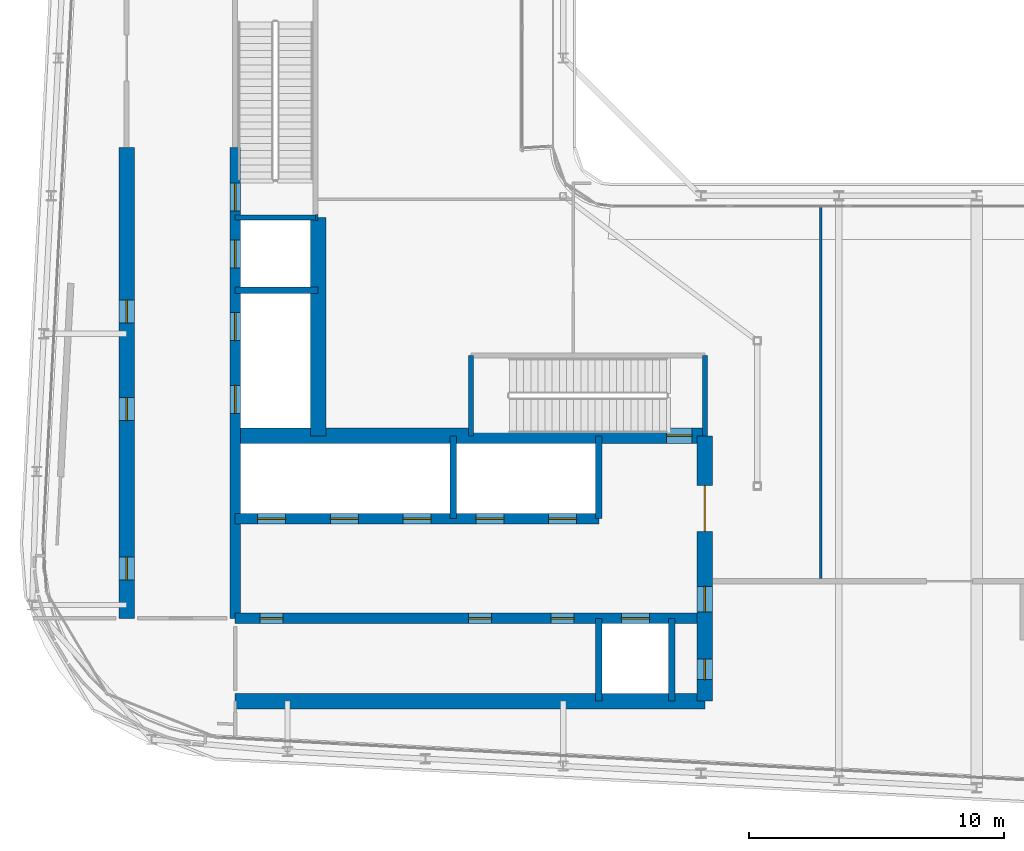
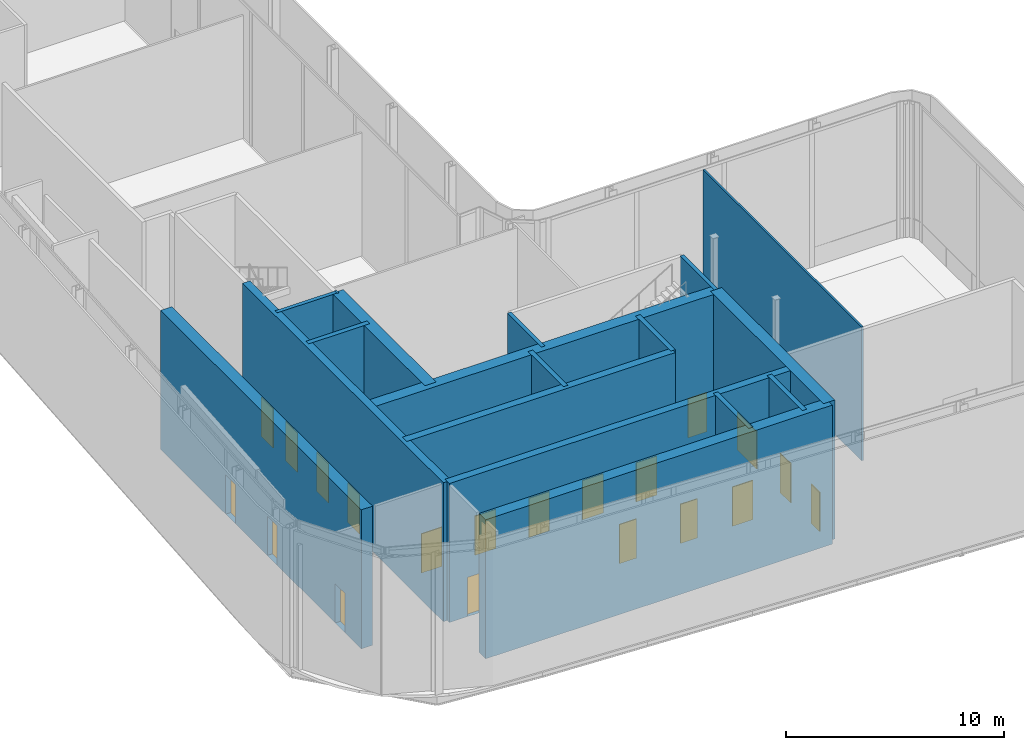
# One storey, part 21 of 28: 20 doors, 18 walls, 20 openings.
"""IFC4 building model written with IfcOpenShell, lengths in metres."""

from ifc_helpers import new_model, si_unit, direction, frame, frame_2d, origin, place, context, subcontext, project, spatial, rectangle, extrude, source, transform, mapped, material, layer, layer_set, type_object, element, fill, save


model = new_model("IFC4")

# Units and contexts
model_context = context("Model", 3, precision=1e-05, world=origin(), true_north=direction((0.0, 1.0)))
body_context = subcontext(model_context, "Body", "Model", "MODEL_VIEW")
ifc_project = project(units=[si_unit("LENGTHUNIT", "METRE"), si_unit("AREAUNIT", "SQUARE_METRE"), si_unit("VOLUMEUNIT", "CUBIC_METRE"), si_unit("PLANEANGLEUNIT", "RADIAN"), si_unit("MASSUNIT", "GRAM", prefix="KILO")], contexts=[model_context])

# Site, building, storey
site_placement = place(None, origin())
site = spatial("IfcSite", under=ifc_project, at=site_placement, CompositionType="ELEMENT")
building_placement = place(site_placement, origin())
building = spatial("IfcBuilding", under=site, at=building_placement, Name="Kheshtan School and Residences Tower", CompositionType="ELEMENT")
storey_placement = place(building_placement, frame((0.0, 0.0, 325.39990234375)))
storey = spatial("IfcBuildingStorey", under=building, at=storey_placement, Name="L77", CompositionType="ELEMENT", Elevation=325.39990234375)

# Wall, openings, doors
ifc_material_1 = material(Name="Concrete C50/60", Category="concrete")
ifc_layer_1 = layer(ifc_material_1, 0.39990234375)
ifc_layer_set_1 = layer_set([ifc_layer_1], Name="Core wall 400 Concrete C50/60")
wall_type_1 = type_object("IfcWallType", Name="Core wall 400 Concrete C50/60", PredefinedType="SHEAR", material=ifc_layer_set_1)
wall_1_placement = place(storey_placement, frame((34.75, 29.050048828125, 0.0), z_axis=(0.0, 0.0, 1.0), x_axis=(1.0, 0.0, 0.0)))
wall_1 = element("IfcWall", 1, at=wall_1_placement, inside=storey, type_object=wall_type_1, Name="Core wall CW-HALL-S1", PredefinedType="SHEAR", context=body_context, shape_type="SweptSolid", body=[
    extrude(rectangle(XDim=18.39990234375, YDim=0.39990234375, at=frame_2d((9.199951171875, 0.0))), origin(), (0.0, 0.0, 1.0), 7.800048828125),
])
opening_1_placement = place(wall_1_placement, frame((15.125, 0.0, 0.0)))
opening_1 = element("IfcOpeningElement", 2, at=opening_1_placement, cuts=wall_1, Name="Opening LD", PredefinedType="OPENING", context=body_context, shape_type="SweptSolid", body=[
    extrude(rectangle(XDim=1.10009765625, YDim=2.199951171875, at=frame_2d((0.550048828125, 1.10009765625))), frame((0.0, 0.2099609375, 0.0), z_axis=(0.0, -1.0, 0.0), x_axis=(1.0, 0.0, 0.0)), (0.0, 0.0, 1.0), 0.419921875),
])
opening_2_placement = place(wall_1_placement, frame((0.97509765625, 0.0, 0.0)))
opening_2 = element("IfcOpeningElement", 3, at=opening_2_placement, cuts=wall_1, Name="Opening SR90", PredefinedType="OPENING", context=body_context, shape_type="SweptSolid", body=[
    extrude(rectangle(XDim=0.89990234375, YDim=2.199951171875, at=frame_2d((0.449951171875, 1.10009765625))), frame((0.0, 0.2099609375, 0.0), z_axis=(0.0, -1.0, 0.0), x_axis=(1.0, 0.0, 0.0)), (0.0, 0.0, 1.0), 0.419921875),
])
opening_3_placement = place(wall_1_placement, frame((9.14404296875, 0.0, 0.0)))
opening_3 = element("IfcOpeningElement", 4, at=opening_3_placement, cuts=wall_1, Name="Opening SR90", PredefinedType="OPENING", context=body_context, shape_type="SweptSolid", body=[
    extrude(rectangle(XDim=0.89990234375, YDim=2.199951171875, at=frame_2d((0.449951171875, 1.10009765625))), frame((0.0, 0.2099609375, 0.0), z_axis=(0.0, -1.0, 0.0), x_axis=(1.0, 0.0, 0.0)), (0.0, 0.0, 1.0), 0.419921875),
])
opening_4_placement = place(wall_1_placement, frame((12.375, 0.0, 0.0)))
opening_4 = element("IfcOpeningElement", 5, at=opening_4_placement, cuts=wall_1, Name="Opening SR90", PredefinedType="OPENING", context=body_context, shape_type="SweptSolid", body=[
    extrude(rectangle(XDim=0.89990234375, YDim=2.199951171875, at=frame_2d((0.449951171875, 1.10009765625))), frame((0.0, 0.2099609375, 0.0), z_axis=(0.0, -1.0, 0.0), x_axis=(1.0, 0.0, 0.0)), (0.0, 0.0, 1.0), 0.419921875),
])
ifc_material_2 = material(Name="Stainless steel door leaves", Category="steel")
door_type_1 = type_object("IfcDoorType", Name="Lift landing door 1100", OperationType="SLIDING_TO_LEFT", PredefinedType="DOOR", material=ifc_material_2)
shared_shape_1 = source(origin(), body_context, "Body", "SweptSolid", [
    extrude(rectangle(XDim=1.10009765625, YDim=2.199951171875, at=frame_2d((0.550048828125, 1.10009765625))), frame((0.0, 0.02490234375, 0.0), z_axis=(0.0, -1.0, 0.0), x_axis=(1.0, 0.0, 0.0)), (0.0, 0.0, 1.0), 0.050048828125),
])
door_1_placement = place(opening_1_placement, origin())
door_1 = element("IfcDoor", 6, at=door_1_placement, inside=storey, type_object=door_type_1, Name="Lift FFL2 landing door", OperationType="SLIDING_TO_LEFT", OverallHeight=2.199951171875, OverallWidth=1.10009765625, PredefinedType="DOOR", context=body_context, shape_type="MappedRepresentation", body=[
    mapped(shared_shape_1, transform((0.0, 0.0, 0.0), x_axis=(1.0, 0.0, 0.0), y_axis=(0.0, 1.0, 0.0), z_axis=(0.0, 0.0, 1.0), scale=1.0)),
])
fill(opening_1, door_1)
ifc_material_3 = material(Name="Steel door leaf, galvanised", Category="steel")
door_type_2 = type_object("IfcDoorType", Name="Service room door 900 steel 90 min", OperationType="SINGLE_SWING_LEFT", PredefinedType="DOOR", material=ifc_material_3)
shared_shape_2 = source(origin(), body_context, "Body", "SweptSolid", [
    extrude(rectangle(XDim=0.89990234375, YDim=2.199951171875, at=frame_2d((0.449951171875, 1.10009765625))), frame((0.0, 0.02490234375, 0.0), z_axis=(0.0, -1.0, 0.0), x_axis=(1.0, 0.0, 0.0)), (0.0, 0.0, 1.0), 0.050048828125),
])
door_2_placement = place(opening_2_placement, origin())
door_2 = element("IfcDoor", 7, at=door_2_placement, inside=storey, type_object=door_type_2, Name="Service room door", OperationType="SINGLE_SWING_LEFT", OverallHeight=2.199951171875, OverallWidth=0.89990234375, PredefinedType="DOOR", context=body_context, shape_type="MappedRepresentation", body=[
    mapped(shared_shape_2, transform((0.0, 0.0, 0.0), x_axis=(1.0, 0.0, 0.0), y_axis=(0.0, 1.0, 0.0), z_axis=(0.0, 0.0, 1.0), scale=1.0)),
])
fill(opening_2, door_2)
door_3_placement = place(opening_3_placement, origin())
door_3 = element("IfcDoor", 8, at=door_3_placement, inside=storey, type_object=door_type_2, Name="Service room door", OperationType="SINGLE_SWING_RIGHT", OverallHeight=2.199951171875, OverallWidth=0.89990234375, PredefinedType="DOOR", context=body_context, shape_type="MappedRepresentation", body=[
    mapped(shared_shape_2, transform((0.0, 0.0, 0.0), x_axis=(1.0, 0.0, 0.0), y_axis=(0.0, 1.0, 0.0), z_axis=(0.0, 0.0, 1.0), scale=1.0)),
])
fill(opening_3, door_3)
door_4_placement = place(opening_4_placement, origin())
door_4 = element("IfcDoor", 9, at=door_4_placement, inside=storey, type_object=door_type_2, Name="Service room door", OperationType="SINGLE_SWING_LEFT", OverallHeight=2.199951171875, OverallWidth=0.89990234375, PredefinedType="DOOR", context=body_context, shape_type="MappedRepresentation", body=[
    mapped(shared_shape_2, transform((0.0, 0.0, 0.0), x_axis=(1.0, 0.0, 0.0), y_axis=(0.0, 1.0, 0.0), z_axis=(0.0, 0.0, 1.0), scale=1.0)),
])
fill(opening_4, door_4)

wall_2_placement = place(storey_placement, frame((34.75, 32.949951171875, 0.0), z_axis=(0.0, 0.0, 1.0), x_axis=(1.0, 0.0, 0.0)))
wall_2 = element("IfcWall", 10, at=wall_2_placement, inside=storey, type_object=wall_type_1, Name="Core wall CW-HALL-S2", PredefinedType="SHEAR", context=body_context, shape_type="SweptSolid", body=[
    extrude(rectangle(XDim=14.25, YDim=0.39990234375, at=frame_2d((7.125, 0.0))), origin(), (0.0, 0.0, 1.0), 7.800048828125),
])
opening_5_placement = place(wall_2_placement, frame((0.875, 0.0, 0.0)))
opening_5 = element("IfcOpeningElement", 11, at=opening_5_placement, cuts=wall_2, Name="Opening LD", PredefinedType="OPENING", context=body_context, shape_type="SweptSolid", body=[
    extrude(rectangle(XDim=1.10009765625, YDim=2.199951171875, at=frame_2d((0.550048828125, 1.10009765625))), frame((0.0, 0.2099609375, 0.0), z_axis=(0.0, -1.0, 0.0), x_axis=(1.0, 0.0, 0.0)), (0.0, 0.0, 1.0), 0.419921875),
])
opening_6_placement = place(wall_2_placement, frame((3.72509765625, 0.0, 0.0)))
opening_6 = element("IfcOpeningElement", 12, at=opening_6_placement, cuts=wall_2, Name="Opening LD", PredefinedType="OPENING", context=body_context, shape_type="SweptSolid", body=[
    extrude(rectangle(XDim=1.10009765625, YDim=2.199951171875, at=frame_2d((0.550048828125, 1.10009765625))), frame((0.0, 0.2099609375, 0.0), z_axis=(0.0, -1.0, 0.0), x_axis=(1.0, 0.0, 0.0)), (0.0, 0.0, 1.0), 0.419921875),
])
opening_7_placement = place(wall_2_placement, frame((6.574951171875, 0.0, 0.0)))
opening_7 = element("IfcOpeningElement", 13, at=opening_7_placement, cuts=wall_2, Name="Opening LD", PredefinedType="OPENING", context=body_context, shape_type="SweptSolid", body=[
    extrude(rectangle(XDim=1.10009765625, YDim=2.199951171875, at=frame_2d((0.550048828125, 1.10009765625))), frame((0.0, 0.2099609375, 0.0), z_axis=(0.0, -1.0, 0.0), x_axis=(1.0, 0.0, 0.0)), (0.0, 0.0, 1.0), 0.419921875),
])
opening_8_placement = place(wall_2_placement, frame((9.425048828125, 0.0, 0.0)))
opening_8 = element("IfcOpeningElement", 14, at=opening_8_placement, cuts=wall_2, Name="Opening LD", PredefinedType="OPENING", context=body_context, shape_type="SweptSolid", body=[
    extrude(rectangle(XDim=1.10009765625, YDim=2.199951171875, at=frame_2d((0.550048828125, 1.10009765625))), frame((0.0, 0.2099609375, 0.0), z_axis=(0.0, -1.0, 0.0), x_axis=(1.0, 0.0, 0.0)), (0.0, 0.0, 1.0), 0.419921875),
])
opening_9_placement = place(wall_2_placement, frame((12.27490234375, 0.0, 0.0)))
opening_9 = element("IfcOpeningElement", 15, at=opening_9_placement, cuts=wall_2, Name="Opening LD", PredefinedType="OPENING", context=body_context, shape_type="SweptSolid", body=[
    extrude(rectangle(XDim=1.10009765625, YDim=2.199951171875, at=frame_2d((0.550048828125, 1.10009765625))), frame((0.0, 0.2099609375, 0.0), z_axis=(0.0, -1.0, 0.0), x_axis=(1.0, 0.0, 0.0)), (0.0, 0.0, 1.0), 0.419921875),
])
door_5_placement = place(opening_5_placement, origin())
door_5 = element("IfcDoor", 16, at=door_5_placement, inside=storey, type_object=door_type_1, Name="Lift P12 landing door", OperationType="SLIDING_TO_LEFT", OverallHeight=2.199951171875, OverallWidth=1.10009765625, PredefinedType="DOOR", context=body_context, shape_type="MappedRepresentation", body=[
    mapped(shared_shape_1, transform((0.0, 0.0, 0.0), x_axis=(1.0, 0.0, 0.0), y_axis=(0.0, 1.0, 0.0), z_axis=(0.0, 0.0, 1.0), scale=1.0)),
])
fill(opening_5, door_5)
door_6_placement = place(opening_6_placement, origin())
door_6 = element("IfcDoor", 17, at=door_6_placement, inside=storey, type_object=door_type_1, Name="Lift P13 landing door", OperationType="SLIDING_TO_LEFT", OverallHeight=2.199951171875, OverallWidth=1.10009765625, PredefinedType="DOOR", context=body_context, shape_type="MappedRepresentation", body=[
    mapped(shared_shape_1, transform((0.0, 0.0, 0.0), x_axis=(1.0, 0.0, 0.0), y_axis=(0.0, 1.0, 0.0), z_axis=(0.0, 0.0, 1.0), scale=1.0)),
])
fill(opening_6, door_6)
door_7_placement = place(opening_7_placement, origin())
door_7 = element("IfcDoor", 18, at=door_7_placement, inside=storey, type_object=door_type_1, Name="Lift P14 landing door", OperationType="SLIDING_TO_LEFT", OverallHeight=2.199951171875, OverallWidth=1.10009765625, PredefinedType="DOOR", context=body_context, shape_type="MappedRepresentation", body=[
    mapped(shared_shape_1, transform((0.0, 0.0, 0.0), x_axis=(1.0, 0.0, 0.0), y_axis=(0.0, 1.0, 0.0), z_axis=(0.0, 0.0, 1.0), scale=1.0)),
])
fill(opening_7, door_7)
door_8_placement = place(opening_8_placement, origin())
door_8 = element("IfcDoor", 19, at=door_8_placement, inside=storey, type_object=door_type_1, Name="Lift P15 landing door", OperationType="SLIDING_TO_LEFT", OverallHeight=2.199951171875, OverallWidth=1.10009765625, PredefinedType="DOOR", context=body_context, shape_type="MappedRepresentation", body=[
    mapped(shared_shape_1, transform((0.0, 0.0, 0.0), x_axis=(1.0, 0.0, 0.0), y_axis=(0.0, 1.0, 0.0), z_axis=(0.0, 0.0, 1.0), scale=1.0)),
])
fill(opening_8, door_8)
door_9_placement = place(opening_9_placement, origin())
door_9 = element("IfcDoor", 20, at=door_9_placement, inside=storey, type_object=door_type_1, Name="Lift P16 landing door", OperationType="SLIDING_TO_LEFT", OverallHeight=2.199951171875, OverallWidth=1.10009765625, PredefinedType="DOOR", context=body_context, shape_type="MappedRepresentation", body=[
    mapped(shared_shape_1, transform((0.0, 0.0, 0.0), x_axis=(1.0, 0.0, 0.0), y_axis=(0.0, 1.0, 0.0), z_axis=(0.0, 0.0, 1.0), scale=1.0)),
])
fill(opening_9, door_9)

wall_3_placement = place(storey_placement, frame((34.75, 29.050048828125, 0.0), z_axis=(0.0, 0.0, 1.0), x_axis=(0.0, 1.0, 0.0)))
wall_3 = element("IfcWall", 21, at=wall_3_placement, inside=storey, type_object=wall_type_1, Name="Core wall CW-HALL-W1", PredefinedType="SHEAR", context=body_context, shape_type="SweptSolid", body=[
    extrude(rectangle(XDim=18.449951171875, YDim=0.39990234375, at=frame_2d((9.22509765625, 0.0))), origin(), (0.0, 0.0, 1.0), 7.800048828125),
])
opening_10_placement = place(wall_3_placement, frame((8.02490234375, 0.0, 0.0)))
opening_10 = element("IfcOpeningElement", 22, at=opening_10_placement, cuts=wall_3, Name="Opening LD", PredefinedType="OPENING", context=body_context, shape_type="SweptSolid", body=[
    extrude(rectangle(XDim=1.10009765625, YDim=2.199951171875, at=frame_2d((0.550048828125, 1.10009765625))), frame((0.0, 0.2099609375, 0.0), z_axis=(0.0, -1.0, 0.0), x_axis=(1.0, 0.0, 0.0)), (0.0, 0.0, 1.0), 0.419921875),
])
opening_11_placement = place(wall_3_placement, frame((10.875, 0.0, 0.0)))
opening_11 = element("IfcOpeningElement", 23, at=opening_11_placement, cuts=wall_3, Name="Opening LD", PredefinedType="OPENING", context=body_context, shape_type="SweptSolid", body=[
    extrude(rectangle(XDim=1.10009765625, YDim=2.199951171875, at=frame_2d((0.550048828125, 1.10009765625))), frame((0.0, 0.2099609375, 0.0), z_axis=(0.0, -1.0, 0.0), x_axis=(1.0, 0.0, 0.0)), (0.0, 0.0, 1.0), 0.419921875),
])
opening_12_placement = place(wall_3_placement, frame((13.72509765625, 0.0, 0.0)))
opening_12 = element("IfcOpeningElement", 24, at=opening_12_placement, cuts=wall_3, Name="Opening LD", PredefinedType="OPENING", context=body_context, shape_type="SweptSolid", body=[
    extrude(rectangle(XDim=1.10009765625, YDim=2.199951171875, at=frame_2d((0.550048828125, 1.10009765625))), frame((0.0, 0.2099609375, 0.0), z_axis=(0.0, -1.0, 0.0), x_axis=(1.0, 0.0, 0.0)), (0.0, 0.0, 1.0), 0.419921875),
])
opening_13_placement = place(wall_3_placement, frame((15.949951171875, 0.0, 0.0)))
opening_13 = element("IfcOpeningElement", 25, at=opening_13_placement, cuts=wall_3, Name="Opening ST2D", PredefinedType="OPENING", context=body_context, shape_type="SweptSolid", body=[
    extrude(rectangle(XDim=1.10009765625, YDim=2.199951171875, at=frame_2d((0.550048828125, 1.10009765625))), frame((0.0, 0.2099609375, 0.0), z_axis=(0.0, -1.0, 0.0), x_axis=(1.0, 0.0, 0.0)), (0.0, 0.0, 1.0), 0.419921875),
])
door_10_placement = place(opening_10_placement, origin())
door_10 = element("IfcDoor", 26, at=door_10_placement, inside=storey, type_object=door_type_1, Name="Lift SV1 landing door", OperationType="SLIDING_TO_LEFT", OverallHeight=2.199951171875, OverallWidth=1.10009765625, PredefinedType="DOOR", context=body_context, shape_type="MappedRepresentation", body=[
    mapped(shared_shape_1, transform((0.0, 0.0, 0.0), x_axis=(1.0, 0.0, 0.0), y_axis=(0.0, 1.0, 0.0), z_axis=(0.0, 0.0, 1.0), scale=1.0)),
])
fill(opening_10, door_10)
door_11_placement = place(opening_11_placement, origin())
door_11 = element("IfcDoor", 27, at=door_11_placement, inside=storey, type_object=door_type_1, Name="Lift SV2 landing door", OperationType="SLIDING_TO_LEFT", OverallHeight=2.199951171875, OverallWidth=1.10009765625, PredefinedType="DOOR", context=body_context, shape_type="MappedRepresentation", body=[
    mapped(shared_shape_1, transform((0.0, 0.0, 0.0), x_axis=(1.0, 0.0, 0.0), y_axis=(0.0, 1.0, 0.0), z_axis=(0.0, 0.0, 1.0), scale=1.0)),
])
fill(opening_11, door_11)
door_12_placement = place(opening_12_placement, origin())
door_12 = element("IfcDoor", 28, at=door_12_placement, inside=storey, type_object=door_type_1, Name="Lift FFL1 landing door", OperationType="SLIDING_TO_LEFT", OverallHeight=2.199951171875, OverallWidth=1.10009765625, PredefinedType="DOOR", context=body_context, shape_type="MappedRepresentation", body=[
    mapped(shared_shape_1, transform((0.0, 0.0, 0.0), x_axis=(1.0, 0.0, 0.0), y_axis=(0.0, 1.0, 0.0), z_axis=(0.0, 0.0, 1.0), scale=1.0)),
])
fill(opening_12, door_12)
door_type_3 = type_object("IfcDoorType", Name="Stair door 1100 steel 90 min", OperationType="SINGLE_SWING_LEFT", PredefinedType="DOOR", material=ifc_material_3)
shared_shape_3 = source(origin(), body_context, "Body", "SweptSolid", [
    extrude(rectangle(XDim=1.10009765625, YDim=2.199951171875, at=frame_2d((0.550048828125, 1.10009765625))), frame((0.0, 0.02490234375, 0.0), z_axis=(0.0, -1.0, 0.0), x_axis=(1.0, 0.0, 0.0)), (0.0, 0.0, 1.0), 0.050048828125),
])
door_13_placement = place(opening_13_placement, origin())
door_13 = element("IfcDoor", 29, at=door_13_placement, inside=storey, type_object=door_type_3, Name="Stair ST2 door", OperationType="SINGLE_SWING_RIGHT", OverallHeight=2.199951171875, OverallWidth=1.10009765625, PredefinedType="DOOR", context=body_context, shape_type="MappedRepresentation", body=[
    mapped(shared_shape_3, transform((0.0, 0.0, 0.0), x_axis=(1.0, 0.0, 0.0), y_axis=(0.0, 1.0, 0.0), z_axis=(0.0, 0.0, 1.0), scale=1.0)),
])
fill(opening_13, door_13)

# Wall
ifc_material_4 = material(Name="Concrete C60/75", Category="concrete")
ifc_layer_2 = layer(ifc_material_4, 0.60009765625)
ifc_layer_set_2 = layer_set([ifc_layer_2], Name="Core wall 600 Concrete C60/75")
wall_type_2 = type_object("IfcWallType", Name="Core wall 600 Concrete C60/75", PredefinedType="SHEAR", material=ifc_layer_set_2)
wall_4_placement = place(storey_placement, frame((34.75, 25.800048828125, 0.0), z_axis=(0.0, 0.0, 1.0), x_axis=(1.0, 0.0, 0.0)))
element("IfcWall", 30, at=wall_4_placement, inside=storey, type_object=wall_type_2, Name="Core wall CW-REAR-S", PredefinedType="SHEAR", context=body_context, shape_type="SweptSolid", body=[
    extrude(rectangle(XDim=18.39990234375, YDim=0.60009765625, at=frame_2d((9.199951171875, 0.0))), origin(), (0.0, 0.0, 1.0), 7.800048828125),
])

# Wall, opening, door
wall_5_placement = place(storey_placement, frame((34.75, 36.199951171875, 0.0), z_axis=(0.0, 0.0, 1.0), x_axis=(1.0, 0.0, 0.0)))
wall_5 = element("IfcWall", 31, at=wall_5_placement, inside=storey, type_object=wall_type_2, Name="Core wall CW-FRONT-S", PredefinedType="SHEAR", context=body_context, shape_type="SweptSolid", body=[
    extrude(rectangle(XDim=18.39990234375, YDim=0.60009765625, at=frame_2d((9.199951171875, 0.0))), origin(), (0.0, 0.0, 1.0), 7.800048828125),
])
opening_14_placement = place(wall_5_placement, frame((16.89990234375, 0.0, 0.0)))
opening_14 = element("IfcOpeningElement", 32, at=opening_14_placement, cuts=wall_5, Name="Opening ST1D", PredefinedType="OPENING", context=body_context, shape_type="SweptSolid", body=[
    extrude(rectangle(XDim=1.0, YDim=2.199951171875, at=frame_2d((0.5, 1.10009765625))), frame((0.0, 0.31005859375, 0.0), z_axis=(0.0, -1.0, 0.0), x_axis=(1.0, 0.0, 0.0)), (0.0, 0.0, 1.0), 0.6201171875),
])
shared_shape_4 = source(origin(), body_context, "Body", "SweptSolid", [
    extrude(rectangle(XDim=1.0, YDim=2.199951171875, at=frame_2d((0.5, 1.10009765625))), frame((0.0, 0.02490234375, 0.0), z_axis=(0.0, -1.0, 0.0), x_axis=(1.0, 0.0, 0.0)), (0.0, 0.0, 1.0), 0.050048828125),
])
door_14_placement = place(opening_14_placement, origin())
door_14 = element("IfcDoor", 33, at=door_14_placement, inside=storey, type_object=door_type_3, Name="Stair ST1 door", OperationType="SINGLE_SWING_RIGHT", OverallHeight=2.199951171875, OverallWidth=1.0, PredefinedType="DOOR", context=body_context, shape_type="MappedRepresentation", body=[
    mapped(shared_shape_4, transform((0.0, 0.0, 0.0), x_axis=(1.0, 0.0, 0.0), y_axis=(0.0, 1.0, 0.0), z_axis=(0.0, 0.0, 1.0), scale=1.0)),
])
fill(opening_14, door_14)

# Wall
wall_6_placement = place(storey_placement, frame((38.0, 36.199951171875, 0.0), z_axis=(0.0, 0.0, 1.0), x_axis=(0.0, 1.0, 0.0)))
element("IfcWall", 34, at=wall_6_placement, inside=storey, type_object=wall_type_2, Name="Core wall CW-FRONT-W", PredefinedType="SHEAR", context=body_context, shape_type="SweptSolid", body=[
    extrude(rectangle(XDim=8.550048828125, YDim=0.60009765625, at=frame_2d((4.27490234375, 0.0))), origin(), (0.0, 0.0, 1.0), 7.800048828125),
])

# Wall, openings, doors
wall_7_placement = place(storey_placement, frame((30.5, 29.050048828125, 0.0), z_axis=(0.0, 0.0, 1.0), x_axis=(0.0, 1.0, 0.0)))
wall_7 = element("IfcWall", 35, at=wall_7_placement, inside=storey, type_object=wall_type_2, Name="Core wall CW-REAR-W", PredefinedType="SHEAR", context=body_context, shape_type="SweptSolid", body=[
    extrude(rectangle(XDim=18.449951171875, YDim=0.60009765625, at=frame_2d((9.22509765625, 0.0))), origin(), (0.0, 0.0, 1.0), 7.800048828125),
])
opening_15_placement = place(wall_7_placement, frame((1.5, 0.0, 0.0)))
opening_15 = element("IfcOpeningElement", 36, at=opening_15_placement, cuts=wall_7, Name="Opening SR90", PredefinedType="OPENING", context=body_context, shape_type="SweptSolid", body=[
    extrude(rectangle(XDim=0.89990234375, YDim=2.199951171875, at=frame_2d((0.449951171875, 1.10009765625))), frame((0.0, 0.31005859375, 0.0), z_axis=(0.0, -1.0, 0.0), x_axis=(1.0, 0.0, 0.0)), (0.0, 0.0, 1.0), 0.6201171875),
])
opening_16_placement = place(wall_7_placement, frame((7.743896484375, 0.0, 0.0)))
opening_16 = element("IfcOpeningElement", 37, at=opening_16_placement, cuts=wall_7, Name="Opening SR90", PredefinedType="OPENING", context=body_context, shape_type="SweptSolid", body=[
    extrude(rectangle(XDim=0.89990234375, YDim=2.199951171875, at=frame_2d((0.449951171875, 1.10009765625))), frame((0.0, 0.31005859375, 0.0), z_axis=(0.0, -1.0, 0.0), x_axis=(1.0, 0.0, 0.0)), (0.0, 0.0, 1.0), 0.6201171875),
])
opening_17_placement = place(wall_7_placement, frame((11.568115234375, 0.0, 0.0)))
opening_17 = element("IfcOpeningElement", 38, at=opening_17_placement, cuts=wall_7, Name="Opening SR90", PredefinedType="OPENING", context=body_context, shape_type="SweptSolid", body=[
    extrude(rectangle(XDim=0.89990234375, YDim=2.199951171875, at=frame_2d((0.449951171875, 1.10009765625))), frame((0.0, 0.31005859375, 0.0), z_axis=(0.0, -1.0, 0.0), x_axis=(1.0, 0.0, 0.0)), (0.0, 0.0, 1.0), 0.6201171875),
])
door_15_placement = place(opening_15_placement, origin())
door_15 = element("IfcDoor", 39, at=door_15_placement, inside=storey, type_object=door_type_2, Name="Service room door", OperationType="SINGLE_SWING_LEFT", OverallHeight=2.199951171875, OverallWidth=0.89990234375, PredefinedType="DOOR", context=body_context, shape_type="MappedRepresentation", body=[
    mapped(shared_shape_2, transform((0.0, 0.0, 0.0), x_axis=(1.0, 0.0, 0.0), y_axis=(0.0, 1.0, 0.0), z_axis=(0.0, 0.0, 1.0), scale=1.0)),
])
fill(opening_15, door_15)
door_16_placement = place(opening_16_placement, origin())
door_16 = element("IfcDoor", 40, at=door_16_placement, inside=storey, type_object=door_type_2, Name="Service room door", OperationType="SINGLE_SWING_LEFT", OverallHeight=2.199951171875, OverallWidth=0.89990234375, PredefinedType="DOOR", context=body_context, shape_type="MappedRepresentation", body=[
    mapped(shared_shape_2, transform((0.0, 0.0, 0.0), x_axis=(1.0, 0.0, 0.0), y_axis=(0.0, 1.0, 0.0), z_axis=(0.0, 0.0, 1.0), scale=1.0)),
])
fill(opening_16, door_16)
door_17_placement = place(opening_17_placement, origin())
door_17 = element("IfcDoor", 41, at=door_17_placement, inside=storey, type_object=door_type_2, Name="Service room door", OperationType="SINGLE_SWING_RIGHT", OverallHeight=2.199951171875, OverallWidth=0.89990234375, PredefinedType="DOOR", context=body_context, shape_type="MappedRepresentation", body=[
    mapped(shared_shape_2, transform((0.0, 0.0, 0.0), x_axis=(1.0, 0.0, 0.0), y_axis=(0.0, 1.0, 0.0), z_axis=(0.0, 0.0, 1.0), scale=1.0)),
])
fill(opening_17, door_17)

wall_8_placement = place(storey_placement, frame((53.14990234375, 25.800048828125, 0.0), z_axis=(0.0, 0.0, 1.0), x_axis=(0.0, 1.0, 0.0)))
wall_8 = element("IfcWall", 42, at=wall_8_placement, inside=storey, type_object=wall_type_2, Name="Core wall CW-EAST", PredefinedType="SHEAR", context=body_context, shape_type="SweptSolid", body=[
    extrude(rectangle(XDim=10.39990234375, YDim=0.60009765625, at=frame_2d((5.199951171875, 0.0))), origin(), (0.0, 0.0, 1.0), 7.800048828125),
])
opening_18_placement = place(wall_8_placement, frame((0.85009765625, 0.0, 0.0)))
opening_18 = element("IfcOpeningElement", 43, at=opening_18_placement, cuts=wall_8, Name="Opening SR80", PredefinedType="OPENING", context=body_context, shape_type="SweptSolid", body=[
    extrude(rectangle(XDim=0.800048828125, YDim=2.199951171875, at=frame_2d((0.39990234375, 1.10009765625))), frame((0.0, 0.31005859375, 0.0), z_axis=(0.0, -1.0, 0.0), x_axis=(1.0, 0.0, 0.0)), (0.0, 0.0, 1.0), 0.6201171875),
])
opening_19_placement = place(wall_8_placement, frame((3.5, 0.0, 0.0)))
opening_19 = element("IfcOpeningElement", 44, at=opening_19_placement, cuts=wall_8, Name="Opening SD91", PredefinedType="OPENING", context=body_context, shape_type="SweptSolid", body=[
    extrude(rectangle(XDim=1.0, YDim=2.199951171875, at=frame_2d((0.5, 1.10009765625))), frame((0.0, 0.31005859375, 0.0), z_axis=(0.0, -1.0, 0.0), x_axis=(1.0, 0.0, 0.0)), (0.0, 0.0, 1.0), 0.6201171875),
])
opening_20_placement = place(wall_8_placement, frame((6.64990234375, 0.0, 0.0)))
opening_20 = element("IfcOpeningElement", 45, at=opening_20_placement, cuts=wall_8, Name="Opening D77-001", PredefinedType="OPENING", context=body_context, shape_type="SweptSolid", body=[
    extrude(rectangle(XDim=1.800048828125, YDim=2.10009765625, at=frame_2d((0.89990234375, 1.050048828125))), frame((0.0, 0.31005859375, 0.0), z_axis=(0.0, -1.0, 0.0), x_axis=(1.0, 0.0, 0.0)), (0.0, 0.0, 1.0), 0.6201171875),
])
door_type_4 = type_object("IfcDoorType", Name="Service room door 800 steel 90 min", OperationType="SINGLE_SWING_LEFT", PredefinedType="DOOR", material=ifc_material_3)
shared_shape_5 = source(origin(), body_context, "Body", "SweptSolid", [
    extrude(rectangle(XDim=0.800048828125, YDim=2.199951171875, at=frame_2d((0.39990234375, 1.10009765625))), frame((0.0, 0.02490234375, 0.0), z_axis=(0.0, -1.0, 0.0), x_axis=(1.0, 0.0, 0.0)), (0.0, 0.0, 1.0), 0.050048828125),
])
door_18_placement = place(opening_18_placement, origin())
door_18 = element("IfcDoor", 46, at=door_18_placement, inside=storey, type_object=door_type_4, Name="Service room door", OperationType="SINGLE_SWING_LEFT", OverallHeight=2.199951171875, OverallWidth=0.800048828125, PredefinedType="DOOR", context=body_context, shape_type="MappedRepresentation", body=[
    mapped(shared_shape_5, transform((0.0, 0.0, 0.0), x_axis=(1.0, 0.0, 0.0), y_axis=(0.0, 1.0, 0.0), z_axis=(0.0, 0.0, 1.0), scale=1.0)),
])
fill(opening_18, door_18)
door_type_5 = type_object("IfcDoorType", Name="Firefighting lobby door 1000 steel 90 min", OperationType="SINGLE_SWING_LEFT", PredefinedType="DOOR", material=ifc_material_3)
shared_shape_6 = source(origin(), body_context, "Body", "SweptSolid", [
    extrude(rectangle(XDim=1.0, YDim=2.199951171875, at=frame_2d((0.5, 1.10009765625))), frame((0.0, 0.02490234375, 0.0), z_axis=(0.0, -1.0, 0.0), x_axis=(1.0, 0.0, 0.0)), (0.0, 0.0, 1.0), 0.050048828125),
])
door_19_placement = place(opening_19_placement, origin())
door_19 = element("IfcDoor", 47, at=door_19_placement, inside=storey, type_object=door_type_5, Name="Firefighting lobby door", OperationType="SINGLE_SWING_LEFT", OverallHeight=2.199951171875, OverallWidth=1.0, PredefinedType="DOOR", context=body_context, shape_type="MappedRepresentation", body=[
    mapped(shared_shape_6, transform((0.0, 0.0, 0.0), x_axis=(1.0, 0.0, 0.0), y_axis=(0.0, 1.0, 0.0), z_axis=(0.0, 0.0, 1.0), scale=1.0)),
])
fill(opening_19, door_19)
ifc_material_5 = material(Name="Steel-framed fire-resisting door leaf", Category="steel")
door_type_6 = type_object("IfcDoorType", Name="Fire double door FD120 1800 x 2100", OperationType="DOUBLE_DOOR_SINGLE_SWING", PredefinedType="DOOR", material=ifc_material_5)
shared_shape_7 = source(origin(), body_context, "Body", "SweptSolid", [
    extrude(rectangle(XDim=1.800048828125, YDim=2.10009765625, at=frame_2d((0.89990234375, 1.050048828125))), frame((0.0, 0.02490234375, 0.0), z_axis=(0.0, -1.0, 0.0), x_axis=(1.0, 0.0, 0.0)), (0.0, 0.0, 1.0), 0.050048828125),
])
door_20_placement = place(opening_20_placement, origin())
door_20 = element("IfcDoor", 48, at=door_20_placement, inside=storey, type_object=door_type_6, Name="Door D77-001", OperationType="DOUBLE_DOOR_SINGLE_SWING", OverallHeight=2.10009765625, OverallWidth=1.800048828125, PredefinedType="DOOR", context=body_context, shape_type="MappedRepresentation", body=[
    mapped(shared_shape_7, transform((0.0, 0.0, 0.0), x_axis=(1.0, 0.0, 0.0), y_axis=(0.0, 1.0, 0.0), z_axis=(0.0, 0.0, 1.0), scale=1.0)),
])
fill(opening_20, door_20)

# Walls
ifc_material_6 = material(Name="Gypsum board on steel studs", Category="steel")
ifc_layer_3 = layer(ifc_material_6, 0.10009765625)
ifc_layer_set_3 = layer_set([ifc_layer_3], Name="Gypsum partition 100")
wall_type_3 = type_object("IfcWallType", Name="Gypsum partition 100", PredefinedType="PARTITIONING", material=ifc_layer_set_3)
wall_9_placement = place(storey_placement, frame((57.68505859375, 30.60009765625, 0.0), z_axis=(0.0, 0.0, 1.0), x_axis=(0.0, 1.0, 0.0)))
element("IfcWall", 49, at=wall_9_placement, inside=storey, type_object=wall_type_3, Name="Partition L77-044", PredefinedType="PARTITIONING", context=body_context, shape_type="SweptSolid", body=[
    extrude(rectangle(XDim=14.56982421875, YDim=0.10009765625, at=frame_2d((7.284912109375, 0.0))), origin(), (0.0, 0.0, 1.0), 7.5),
])
ifc_material_7 = material(Name="Fire-board shaft wall system")
ifc_layer_4 = layer(ifc_material_7, 0.25)
ifc_layer_set_4 = layer_set([ifc_layer_4], Name="Shaft lining wall 250")
wall_type_4 = type_object("IfcWallType", Name="Shaft lining wall 250", PredefinedType="PARTITIONING", material=ifc_layer_set_4)
for number, where, z_axis, x_axis, name in (
    (50, (43.300048828125, 32.949951171875, 0.0), (0.0, 0.0, 1.0), (0.0, 1.0, 0.0), "Shaft lining wall"),
    (51, (49.0, 25.800048828125, 0.0), (0.0, 0.0, 1.0), (0.0, 1.0, 0.0), "Shaft lining wall"),
    (52, (49.0, 32.949951171875, 0.0), (0.0, 0.0, 1.0), (0.0, 1.0, 0.0), "Shaft lining wall"),
    (53, (51.85009765625, 25.800048828125, 0.0), (0.0, 0.0, 1.0), (0.0, 1.0, 0.0), "Shaft lining wall"),
    (54, (34.75, 41.89990234375, 0.0), (0.0, 0.0, 1.0), (1.0, 0.0, 0.0), "Shaft lining wall"),
):
    element("IfcWall", number, at=place(storey_placement, frame(where, z_axis=z_axis, x_axis=x_axis)), inside=storey, type_object=wall_type_4, Name=name, PredefinedType="PARTITIONING", context=body_context, shape_type="SweptSolid", body=[
        extrude(rectangle(XDim=3.25, YDim=0.25, at=frame_2d((1.625, 0.0))), origin(), (0.0, 0.0, 1.0), 7.800048828125),
    ])
wall_10_placement = place(storey_placement, frame((37.89990234375, 44.75, 0.0), z_axis=(0.0, 0.0, 1.0), x_axis=(1.0, 0.0, 0.0)))
element("IfcWall", 55, at=wall_10_placement, inside=storey, type_object=wall_type_4, Name="Shaft lining wall", PredefinedType="PARTITIONING", context=body_context, shape_type="SweptSolid", body=[
    extrude(rectangle(XDim=0.10009765625, YDim=0.25, at=frame_2d((0.050048828125, 0.0))), origin(), (0.0, 0.0, 1.0), 7.800048828125),
])
ifc_material_8 = material(Name="Concrete C40/50", Category="concrete")
ifc_layer_5 = layer(ifc_material_8, 0.199951171875)
ifc_layer_set_5 = layer_set([ifc_layer_5], Name="Stair enclosure wall 200 Concrete C40/50")
wall_type_5 = type_object("IfcWallType", Name="Stair enclosure wall 200 Concrete C40/50", PredefinedType="SHEAR", material=ifc_layer_set_5)
for number, where, z_axis, x_axis, name in (
    (56, (43.989990234375, 36.199951171875, 0.0), (0.0, 0.0, 1.0), (0.0, 1.0, 0.0), "Stair enclosure wall ST1"),
    (57, (53.14990234375, 36.199951171875, 0.0), (0.0, 0.0, 1.0), (0.0, 1.0, 0.0), "Stair enclosure wall ST1"),
):
    element("IfcWall", number, at=place(storey_placement, frame(where, z_axis=z_axis, x_axis=x_axis)), inside=storey, type_object=wall_type_5, Name=name, PredefinedType="SHEAR", context=body_context, shape_type="SweptSolid", body=[
        extrude(rectangle(XDim=3.150146484375, YDim=0.199951171875, at=frame_2d((1.5751953125, 0.0))), origin(), (0.0, 0.0, 1.0), 7.800048828125),
    ])
wall_11_placement = place(storey_placement, frame((34.75, 44.75, 0.0), z_axis=(0.0, 0.0, 1.0), x_axis=(1.0, 0.0, 0.0)))
element("IfcWall", 58, at=wall_11_placement, inside=storey, type_object=wall_type_5, Name="Stair enclosure wall ST2", PredefinedType="SHEAR", context=body_context, shape_type="SweptSolid", body=[
    extrude(rectangle(XDim=3.14990234375, YDim=0.199951171875, at=frame_2d((1.574951171875, 0.0))), origin(), (0.0, 0.0, 1.0), 7.800048828125),
])

save(model, "model.ifc")
